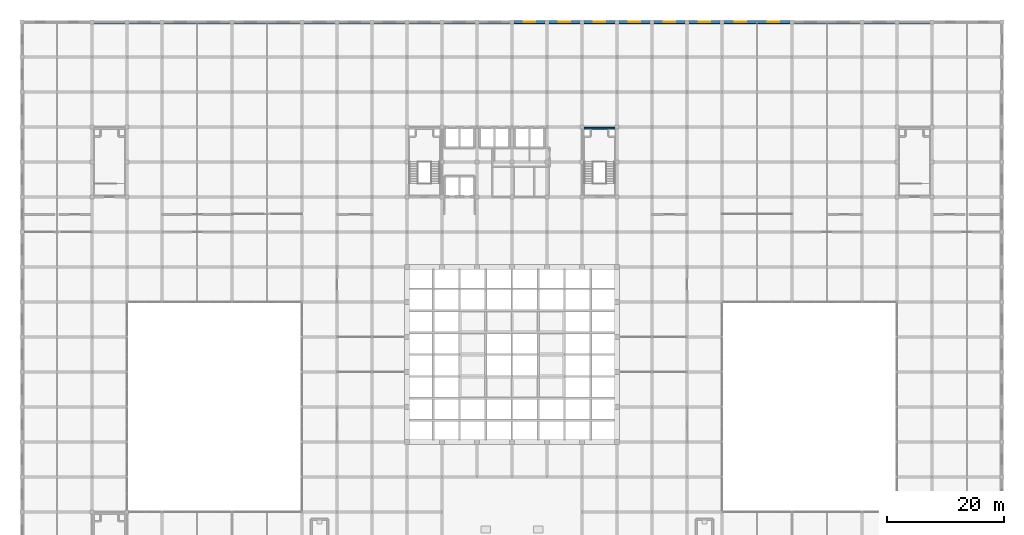
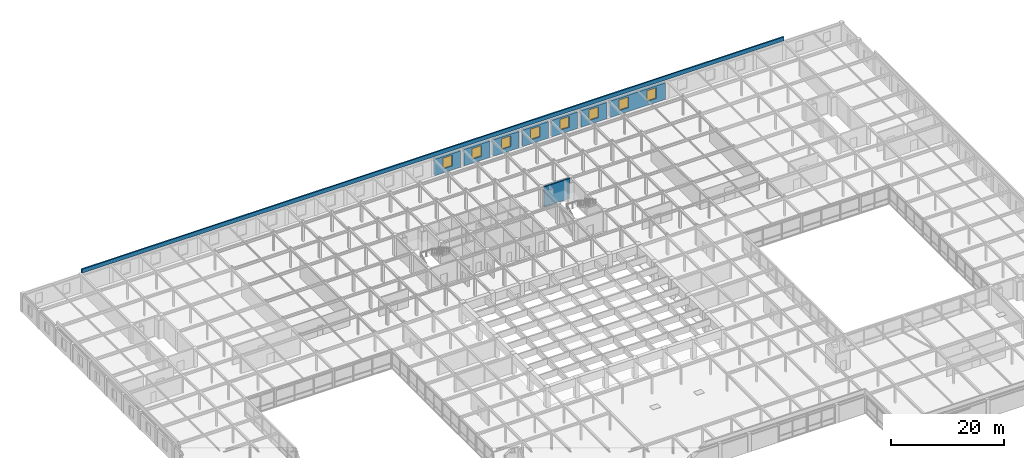
# One storey, part 107 of 111: 9 walls, 8 windows, 8 openings.
"""IFC4 building model written with IfcOpenShell, lengths in metres."""

from ifc_helpers import new_model, si_unit, direction, frame, frame_2d, origin, place, context, subcontext, project, spatial, rectangle, extrude, material, layer, layer_set, type_object, element, fill, save


model = new_model("IFC4")

# Units and contexts
model_context = context("Model", 3, precision=1e-05, world=origin(), true_north=direction((0.0, 1.0)))
body_context = subcontext(model_context, "Body", "Model", "MODEL_VIEW")
ifc_project = project(units=[si_unit("LENGTHUNIT", "METRE"), si_unit("AREAUNIT", "SQUARE_METRE"), si_unit("VOLUMEUNIT", "CUBIC_METRE"), si_unit("PLANEANGLEUNIT", "RADIAN"), si_unit("MASSUNIT", "GRAM", prefix="KILO")], contexts=[model_context])

# Site, building, storey
site_placement = place(None, origin())
site = spatial("IfcSite", under=ifc_project, at=site_placement, CompositionType="ELEMENT")
building_placement = place(site_placement, origin())
building = spatial("IfcBuilding", under=site, at=building_placement, Name="Zlatovratsky Civic Hall", CompositionType="ELEMENT")
storey_placement = place(building_placement, frame((0.0, 0.0, 16.5)))
storey = spatial("IfcBuildingStorey", under=building, at=storey_placement, Name="L04", CompositionType="ELEMENT", Elevation=16.5)

# Wall, opening, window
ifc_material_1 = material(Name="Acoustic ceramic blockwork", Category="masonry")
ifc_layer_1 = layer(ifc_material_1, 0.39990234375, Name="Backing")
ifc_material_2 = material(Name="Polished Karelian granite ashlar", Category="masonry")
ifc_layer_2 = layer(ifc_material_2, 0.139892578125, Name="Finish")
ifc_layer_set_1 = layer_set([ifc_layer_1, ifc_layer_2], Name="Acoustic ceramic blockwork")
wall_type_1 = type_object("IfcWallType", Name="Wall_PodiumGraniteArcade_540", PredefinedType="SOLIDWALL", material=ifc_layer_set_1)
wall_1_placement = place(storey_placement, frame((84.35009765625, 114.0, 0.0), z_axis=(0.0, 0.0, 1.0), x_axis=(1.0, 0.0, 0.0)))
wall_1 = element("IfcWall", 1, at=wall_1_placement, inside=storey, type_object=wall_type_1, Name="WL-0344", PredefinedType="SOLIDWALL", context=body_context, shape_type="SweptSolid", body=[
    extrude(rectangle(XDim=5.2998046875, YDim=0.5400390625, at=frame_2d((2.64990234375, 0.0))), origin(), (0.0, 0.0, 1.0), 3.550048828125),
])
opening_1_placement = place(wall_1_placement, frame((1.675048828125, 0.0, 0.85009765625)))
opening_1 = element("IfcOpeningElement", 2, at=opening_1_placement, cuts=wall_1, Name="Opening WN-11", PredefinedType="OPENING", context=body_context, shape_type="SweptSolid", body=[
    extrude(rectangle(XDim=1.949951171875, YDim=2.35009765625, at=frame_2d((0.97509765625, 1.175048828125))), frame((0.0, 0.284912109375, 0.0), z_axis=(0.0, -1.0, 0.0), x_axis=(1.0, 0.0, 0.0)), (0.0, 0.0, 1.0), 0.56982421875),
])
ifc_material_3 = material(Name="Low-E laminated double glazing", Category="glass")
window_type = type_object("IfcWindowType", Name="Window_AuditWingL04_1950x2350", PartitioningType="SINGLE_PANEL", PredefinedType="WINDOW", material=ifc_material_3)
window_1_placement = place(opening_1_placement, origin())
window_1 = element("IfcWindow", 3, at=window_1_placement, inside=storey, type_object=window_type, Name="WN-0270", OverallHeight=2.35009765625, OverallWidth=1.949951171875, PartitioningType="SINGLE_PANEL", PredefinedType="WINDOW", context=body_context, shape_type="SweptSolid", body=[
    extrude(rectangle(XDim=1.949951171875, YDim=2.35009765625, at=frame_2d((0.97509765625, 1.175048828125))), frame((0.0, 0.030029296875, 0.0), z_axis=(0.0, -1.0, 0.0), x_axis=(1.0, 0.0, 0.0)), (0.0, 0.0, 1.0), 0.06005859375),
])
fill(opening_1, window_1)

wall_2_placement = place(storey_placement, frame((90.35009765625, 114.0, 0.0), z_axis=(0.0, 0.0, 1.0), x_axis=(1.0, 0.0, 0.0)))
wall_2 = element("IfcWall", 4, at=wall_2_placement, inside=storey, type_object=wall_type_1, Name="WL-0345", PredefinedType="SOLIDWALL", context=body_context, shape_type="SweptSolid", body=[
    extrude(rectangle(XDim=5.2998046875, YDim=0.5400390625, at=frame_2d((2.64990234375, 0.0))), origin(), (0.0, 0.0, 1.0), 3.550048828125),
])
opening_2_placement = place(wall_2_placement, frame((1.675048828125, 0.0, 0.85009765625)))
opening_2 = element("IfcOpeningElement", 5, at=opening_2_placement, cuts=wall_2, Name="Opening WN-11", PredefinedType="OPENING", context=body_context, shape_type="SweptSolid", body=[
    extrude(rectangle(XDim=1.949951171875, YDim=2.35009765625, at=frame_2d((0.97509765625, 1.175048828125))), frame((0.0, 0.284912109375, 0.0), z_axis=(0.0, -1.0, 0.0), x_axis=(1.0, 0.0, 0.0)), (0.0, 0.0, 1.0), 0.56982421875),
])
window_2_placement = place(opening_2_placement, origin())
window_2 = element("IfcWindow", 6, at=window_2_placement, inside=storey, type_object=window_type, Name="WN-0271", OverallHeight=2.35009765625, OverallWidth=1.949951171875, PartitioningType="SINGLE_PANEL", PredefinedType="WINDOW", context=body_context, shape_type="SweptSolid", body=[
    extrude(rectangle(XDim=1.949951171875, YDim=2.35009765625, at=frame_2d((0.97509765625, 1.175048828125))), frame((0.0, 0.030029296875, 0.0), z_axis=(0.0, -1.0, 0.0), x_axis=(1.0, 0.0, 0.0)), (0.0, 0.0, 1.0), 0.06005859375),
])
fill(opening_2, window_2)

wall_3_placement = place(storey_placement, frame((96.35009765625, 114.0, 0.0), z_axis=(0.0, 0.0, 1.0), x_axis=(1.0, 0.0, 0.0)))
wall_3 = element("IfcWall", 7, at=wall_3_placement, inside=storey, type_object=wall_type_1, Name="WL-0346", PredefinedType="SOLIDWALL", context=body_context, shape_type="SweptSolid", body=[
    extrude(rectangle(XDim=5.2998046875, YDim=0.5400390625, at=frame_2d((2.64990234375, 0.0))), origin(), (0.0, 0.0, 1.0), 3.550048828125),
])
opening_3_placement = place(wall_3_placement, frame((1.675048828125, 0.0, 0.85009765625)))
opening_3 = element("IfcOpeningElement", 8, at=opening_3_placement, cuts=wall_3, Name="Opening WN-11", PredefinedType="OPENING", context=body_context, shape_type="SweptSolid", body=[
    extrude(rectangle(XDim=1.949951171875, YDim=2.35009765625, at=frame_2d((0.97509765625, 1.175048828125))), frame((0.0, 0.284912109375, 0.0), z_axis=(0.0, -1.0, 0.0), x_axis=(1.0, 0.0, 0.0)), (0.0, 0.0, 1.0), 0.56982421875),
])
window_3_placement = place(opening_3_placement, origin())
window_3 = element("IfcWindow", 9, at=window_3_placement, inside=storey, type_object=window_type, Name="WN-0272", OverallHeight=2.35009765625, OverallWidth=1.949951171875, PartitioningType="SINGLE_PANEL", PredefinedType="WINDOW", context=body_context, shape_type="SweptSolid", body=[
    extrude(rectangle(XDim=1.949951171875, YDim=2.35009765625, at=frame_2d((0.97509765625, 1.175048828125))), frame((0.0, 0.030029296875, 0.0), z_axis=(0.0, -1.0, 0.0), x_axis=(1.0, 0.0, 0.0)), (0.0, 0.0, 1.0), 0.06005859375),
])
fill(opening_3, window_3)

wall_4_placement = place(storey_placement, frame((102.35009765625, 114.0, 0.0), z_axis=(0.0, 0.0, 1.0), x_axis=(1.0, 0.0, 0.0)))
wall_4 = element("IfcWall", 10, at=wall_4_placement, inside=storey, type_object=wall_type_1, Name="WL-0347", PredefinedType="SOLIDWALL", context=body_context, shape_type="SweptSolid", body=[
    extrude(rectangle(XDim=5.2998046875, YDim=0.5400390625, at=frame_2d((2.64990234375, 0.0))), origin(), (0.0, 0.0, 1.0), 3.550048828125),
])
opening_4_placement = place(wall_4_placement, frame((1.675048828125, 0.0, 0.85009765625)))
opening_4 = element("IfcOpeningElement", 11, at=opening_4_placement, cuts=wall_4, Name="Opening WN-11", PredefinedType="OPENING", context=body_context, shape_type="SweptSolid", body=[
    extrude(rectangle(XDim=1.949951171875, YDim=2.35009765625, at=frame_2d((0.97509765625, 1.175048828125))), frame((0.0, 0.284912109375, 0.0), z_axis=(0.0, -1.0, 0.0), x_axis=(1.0, 0.0, 0.0)), (0.0, 0.0, 1.0), 0.56982421875),
])
window_4_placement = place(opening_4_placement, origin())
window_4 = element("IfcWindow", 12, at=window_4_placement, inside=storey, type_object=window_type, Name="WN-0273", OverallHeight=2.35009765625, OverallWidth=1.949951171875, PartitioningType="SINGLE_PANEL", PredefinedType="WINDOW", context=body_context, shape_type="SweptSolid", body=[
    extrude(rectangle(XDim=1.949951171875, YDim=2.35009765625, at=frame_2d((0.97509765625, 1.175048828125))), frame((0.0, 0.030029296875, 0.0), z_axis=(0.0, -1.0, 0.0), x_axis=(1.0, 0.0, 0.0)), (0.0, 0.0, 1.0), 0.06005859375),
])
fill(opening_4, window_4)

wall_5_placement = place(storey_placement, frame((108.35009765625, 114.0, 0.0), z_axis=(0.0, 0.0, 1.0), x_axis=(1.0, 0.0, 0.0)))
wall_5 = element("IfcWall", 13, at=wall_5_placement, inside=storey, type_object=wall_type_1, Name="WL-0348", PredefinedType="SOLIDWALL", context=body_context, shape_type="SweptSolid", body=[
    extrude(rectangle(XDim=5.2998046875, YDim=0.5400390625, at=frame_2d((2.64990234375, 0.0))), origin(), (0.0, 0.0, 1.0), 3.550048828125),
])
opening_5_placement = place(wall_5_placement, frame((1.675048828125, 0.0, 0.85009765625)))
opening_5 = element("IfcOpeningElement", 14, at=opening_5_placement, cuts=wall_5, Name="Opening WN-11", PredefinedType="OPENING", context=body_context, shape_type="SweptSolid", body=[
    extrude(rectangle(XDim=1.949951171875, YDim=2.35009765625, at=frame_2d((0.97509765625, 1.175048828125))), frame((0.0, 0.284912109375, 0.0), z_axis=(0.0, -1.0, 0.0), x_axis=(1.0, 0.0, 0.0)), (0.0, 0.0, 1.0), 0.56982421875),
])
window_5_placement = place(opening_5_placement, origin())
window_5 = element("IfcWindow", 15, at=window_5_placement, inside=storey, type_object=window_type, Name="WN-0274", OverallHeight=2.35009765625, OverallWidth=1.949951171875, PartitioningType="SINGLE_PANEL", PredefinedType="WINDOW", context=body_context, shape_type="SweptSolid", body=[
    extrude(rectangle(XDim=1.949951171875, YDim=2.35009765625, at=frame_2d((0.97509765625, 1.175048828125))), frame((0.0, 0.030029296875, 0.0), z_axis=(0.0, -1.0, 0.0), x_axis=(1.0, 0.0, 0.0)), (0.0, 0.0, 1.0), 0.06005859375),
])
fill(opening_5, window_5)

wall_6_placement = place(storey_placement, frame((114.35009765625, 114.0, 0.0), z_axis=(0.0, 0.0, 1.0), x_axis=(1.0, 0.0, 0.0)))
wall_6 = element("IfcWall", 16, at=wall_6_placement, inside=storey, type_object=wall_type_1, Name="WL-0349", PredefinedType="SOLIDWALL", context=body_context, shape_type="SweptSolid", body=[
    extrude(rectangle(XDim=5.2998046875, YDim=0.5400390625, at=frame_2d((2.64990234375, 0.0))), origin(), (0.0, 0.0, 1.0), 3.550048828125),
])
opening_6_placement = place(wall_6_placement, frame((1.675048828125, 0.0, 0.85009765625)))
opening_6 = element("IfcOpeningElement", 17, at=opening_6_placement, cuts=wall_6, Name="Opening WN-11", PredefinedType="OPENING", context=body_context, shape_type="SweptSolid", body=[
    extrude(rectangle(XDim=1.949951171875, YDim=2.35009765625, at=frame_2d((0.97509765625, 1.175048828125))), frame((0.0, 0.284912109375, 0.0), z_axis=(0.0, -1.0, 0.0), x_axis=(1.0, 0.0, 0.0)), (0.0, 0.0, 1.0), 0.56982421875),
])
window_6_placement = place(opening_6_placement, origin())
window_6 = element("IfcWindow", 18, at=window_6_placement, inside=storey, type_object=window_type, Name="WN-0275", OverallHeight=2.35009765625, OverallWidth=1.949951171875, PartitioningType="SINGLE_PANEL", PredefinedType="WINDOW", context=body_context, shape_type="SweptSolid", body=[
    extrude(rectangle(XDim=1.949951171875, YDim=2.35009765625, at=frame_2d((0.97509765625, 1.175048828125))), frame((0.0, 0.030029296875, 0.0), z_axis=(0.0, -1.0, 0.0), x_axis=(1.0, 0.0, 0.0)), (0.0, 0.0, 1.0), 0.06005859375),
])
fill(opening_6, window_6)

# Wall, openings, windows
wall_7_placement = place(storey_placement, frame((120.35009765625, 114.0, 0.0), z_axis=(0.0, 0.0, 1.0), x_axis=(1.0, 0.0, 0.0)))
wall_7 = element("IfcWall", 19, at=wall_7_placement, inside=storey, type_object=wall_type_1, Name="WL-0350", PredefinedType="SOLIDWALL", context=body_context, shape_type="SweptSolid", body=[
    extrude(rectangle(XDim=11.2998046875, YDim=0.5400390625, at=frame_2d((5.64990234375, 0.0))), origin(), (0.0, 0.0, 1.0), 3.550048828125),
])
opening_7_placement = place(wall_7_placement, frame((1.85009765625, 0.0, 0.85009765625)))
opening_7 = element("IfcOpeningElement", 20, at=opening_7_placement, cuts=wall_7, Name="Opening WN-11", PredefinedType="OPENING", context=body_context, shape_type="SweptSolid", body=[
    extrude(rectangle(XDim=1.949951171875, YDim=2.35009765625, at=frame_2d((0.97509765625, 1.175048828125))), frame((0.0, 0.284912109375, 0.0), z_axis=(0.0, -1.0, 0.0), x_axis=(1.0, 0.0, 0.0)), (0.0, 0.0, 1.0), 0.56982421875),
])
opening_8_placement = place(wall_7_placement, frame((7.5, 0.0, 0.85009765625)))
opening_8 = element("IfcOpeningElement", 21, at=opening_8_placement, cuts=wall_7, Name="Opening WN-11", PredefinedType="OPENING", context=body_context, shape_type="SweptSolid", body=[
    extrude(rectangle(XDim=1.949951171875, YDim=2.35009765625, at=frame_2d((0.97509765625, 1.175048828125))), frame((0.0, 0.284912109375, 0.0), z_axis=(0.0, -1.0, 0.0), x_axis=(1.0, 0.0, 0.0)), (0.0, 0.0, 1.0), 0.56982421875),
])
window_7_placement = place(opening_7_placement, origin())
window_7 = element("IfcWindow", 22, at=window_7_placement, inside=storey, type_object=window_type, Name="WN-0276", OverallHeight=2.35009765625, OverallWidth=1.949951171875, PartitioningType="SINGLE_PANEL", PredefinedType="WINDOW", context=body_context, shape_type="SweptSolid", body=[
    extrude(rectangle(XDim=1.949951171875, YDim=2.35009765625, at=frame_2d((0.97509765625, 1.175048828125))), frame((0.0, 0.030029296875, 0.0), z_axis=(0.0, -1.0, 0.0), x_axis=(1.0, 0.0, 0.0)), (0.0, 0.0, 1.0), 0.06005859375),
])
fill(opening_7, window_7)
window_8_placement = place(opening_8_placement, origin())
window_8 = element("IfcWindow", 23, at=window_8_placement, inside=storey, type_object=window_type, Name="WN-0277", OverallHeight=2.35009765625, OverallWidth=1.949951171875, PartitioningType="SINGLE_PANEL", PredefinedType="WINDOW", context=body_context, shape_type="SweptSolid", body=[
    extrude(rectangle(XDim=1.949951171875, YDim=2.35009765625, at=frame_2d((0.97509765625, 1.175048828125))), frame((0.0, 0.030029296875, 0.0), z_axis=(0.0, -1.0, 0.0), x_axis=(1.0, 0.0, 0.0)), (0.0, 0.0, 1.0), 0.06005859375),
])
fill(opening_8, window_8)

# Walls
ifc_material_4 = material(Name="Podolsk limestone ashlar", Category="masonry")
ifc_layer_3 = layer(ifc_material_4, 0.280029296875)
ifc_layer_set_2 = layer_set([ifc_layer_3], Name="Podolsk limestone ashlar")
wall_type_2 = type_object("IfcWallType", Name="Wall_RoofParapetStone_280", PredefinedType="PARAPET", material=ifc_layer_set_2)
wall_8_placement = place(storey_placement, frame((12.0, 113.860107421875, 4.199951171875), z_axis=(0.0, 0.0, 1.0), x_axis=(1.0, 0.0, 0.0)))
element("IfcWall", 24, at=wall_8_placement, inside=storey, type_object=wall_type_2, Name="WL-0710", PredefinedType="PARAPET", context=body_context, shape_type="SweptSolid", body=[
    extrude(rectangle(XDim=144.0, YDim=0.280029296875, at=frame_2d((72.0, 0.0))), origin(), (0.0, 0.0, 1.0), 0.85009765625),
])
ifc_material_5 = material(Name="Concrete C35/45 (B40)", Category="concrete")
ifc_layer_4 = layer(ifc_material_5, 0.300048828125)
ifc_layer_set_3 = layer_set([ifc_layer_4], Name="Concrete C35/45 (B40)")
wall_type_3 = type_object("IfcWallType", Name="Wall_StairAndLiftShaft_300", PredefinedType="SHEAR", material=ifc_layer_set_3)
wall_9_placement = place(storey_placement, frame((96.35009765625, 95.800048828125, 0.0), z_axis=(0.0, 0.0, 1.0), x_axis=(1.0, 0.0, 0.0)))
element("IfcWall", 25, at=wall_9_placement, inside=storey, type_object=wall_type_3, Name="WL-5192", PredefinedType="SHEAR", context=body_context, shape_type="SweptSolid", body=[
    extrude(rectangle(XDim=5.2998046875, YDim=0.300048828125, at=frame_2d((2.64990234375, 0.0))), origin(), (0.0, 0.0, 1.0), 4.340087890625),
])

save(model, "model.ifc")
